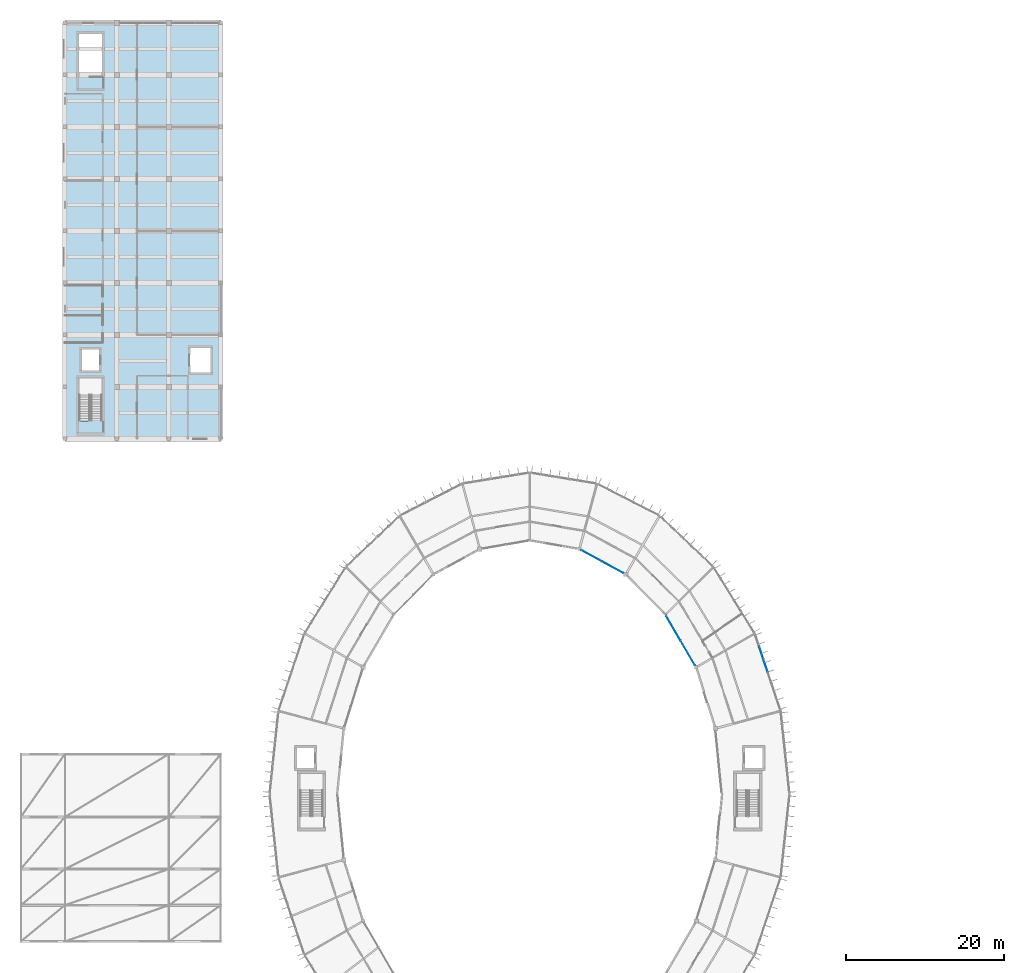
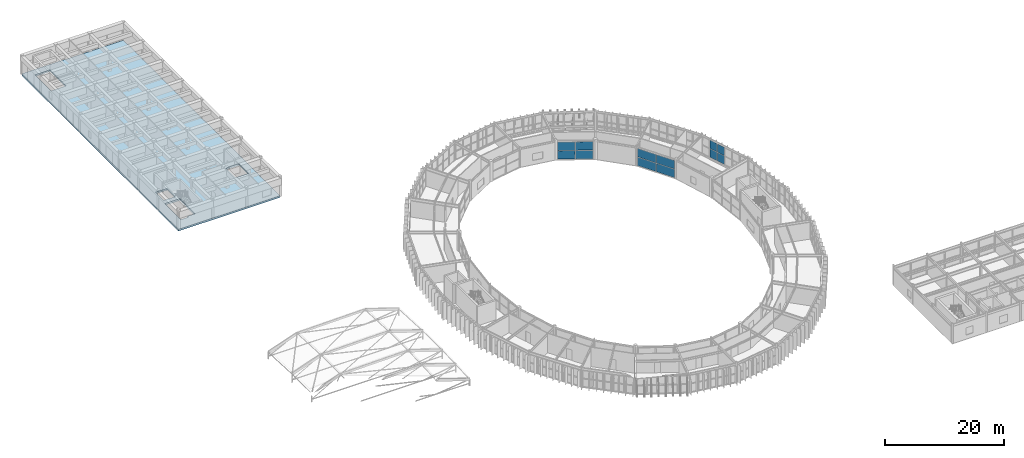
# One storey, part 98 of 134: 12 plates, 1 slab, 3 elements without a shape of their own.
"""IFC4 building model written with IfcOpenShell, lengths in metres."""

from ifc_helpers import new_model, si_unit, direction, frame, origin, origin_2d, place, context, subcontext, project, spatial, polyline, rectangle, outline, extrude, material, layer, layer_set, type_object, element, aggregate, save


model = new_model("IFC4")

# Units and contexts
model_context = context("Model", 3, precision=1e-05, world=origin(), true_north=direction((0.0, 1.0)))
body_context = subcontext(model_context, "Body", "Model", "MODEL_VIEW")
ifc_project = project(units=[si_unit("LENGTHUNIT", "METRE"), si_unit("AREAUNIT", "SQUARE_METRE"), si_unit("VOLUMEUNIT", "CUBIC_METRE"), si_unit("PLANEANGLEUNIT", "RADIAN"), si_unit("MASSUNIT", "GRAM", prefix="KILO")], contexts=[model_context])

# Site, building, storey
site_placement = place(None, origin())
site = spatial("IfcSite", under=ifc_project, at=site_placement, CompositionType="ELEMENT")
building_placement = place(site_placement, origin())
building = spatial("IfcBuilding", under=site, at=building_placement, Name="Karori Crest Natural Sciences Institute", CompositionType="ELEMENT")
storey_placement = place(building_placement, frame((0.0, 0.0, 21.699951171875)))
storey = spatial("IfcBuildingStorey", under=building, at=storey_placement, Name="L05", CompositionType="ELEMENT", Elevation=21.699951171875)

# Curtain wall, plates
ifc_material_1 = material(Name="Anodised architectural aluminium 6063-T6", Category="aluminium")
curtain_wall_type_1 = type_object("IfcCurtainWallType", Name="CWT-13", PredefinedType="NOTDEFINED", material=ifc_material_1)
curtain_wall_1_placement = place(storey_placement, origin())
curtain_wall_1 = element("IfcCurtainWall", 1, at=curtain_wall_1_placement, inside=storey, type_object=curtain_wall_type_1, Name="Curtain wall CW-0176", PredefinedType="NOTDEFINED")
ifc_material_2 = material(Name="Double low-E laminated glass", Category="glass")
ifc_layer_1 = layer(ifc_material_2, 0.02392578125, Name="Double low-E laminated glass")
ifc_layer_set_1 = layer_set([ifc_layer_1], Name="Double low-E laminated glass")
plate_type_1 = type_object("IfcPlateType", Name="CWP-01", PredefinedType="CURTAIN_PANEL", material=ifc_layer_set_1)
plate_1_placement = place(storey_placement, frame((86.48193359375, 67.80419921875, 0.06005859375), z_axis=(0.0, 0.0, 1.0), x_axis=(-0.502654910341, 0.864487154971, 0.0)))
plate_1 = element("IfcPlate", 2, at=plate_1_placement, type_object=plate_type_1, Name="CW-0176 panel 1.1", PredefinedType="CURTAIN_PANEL", context=body_context, shape_type="SweptSolid", body=[
    extrude(rectangle(XDim=3.585205078125, YDim=0.02392578125, at=origin_2d()), origin(), (0.0, 0.0, 1.0), 1.735107421875),
])
plate_2_placement = place(storey_placement, frame((86.48193359375, 67.80419921875, 1.85498046875), z_axis=(0.0, 0.0, 1.0), x_axis=(-0.502654910341, 0.864487154971, 0.0)))
plate_2 = element("IfcPlate", 3, at=plate_2_placement, type_object=plate_type_1, Name="CW-0176 panel 1.2", PredefinedType="CURTAIN_PANEL", context=body_context, shape_type="SweptSolid", body=[
    extrude(rectangle(XDim=3.585205078125, YDim=0.02392578125, at=origin_2d()), origin(), (0.0, 0.0, 1.0), 1.735107421875),
])
plate_3_placement = place(storey_placement, frame((84.647216796875, 70.959716796875, 0.06005859375), z_axis=(0.0, 0.0, 1.0), x_axis=(-0.502654910341, 0.864487154971, 0.0)))
plate_3 = element("IfcPlate", 4, at=plate_3_placement, type_object=plate_type_1, Name="CW-0176 panel 2.1", PredefinedType="CURTAIN_PANEL", context=body_context, shape_type="SweptSolid", body=[
    extrude(rectangle(XDim=3.585205078125, YDim=0.02392578125, at=origin_2d()), origin(), (0.0, 0.0, 1.0), 1.735107421875),
])
plate_4_placement = place(storey_placement, frame((84.647216796875, 70.959716796875, 1.85498046875), z_axis=(0.0, 0.0, 1.0), x_axis=(-0.502654910341, 0.864487154971, 0.0)))
plate_4 = element("IfcPlate", 5, at=plate_4_placement, type_object=plate_type_1, Name="CW-0176 panel 2.2", PredefinedType="CURTAIN_PANEL", context=body_context, shape_type="SweptSolid", body=[
    extrude(rectangle(XDim=3.585205078125, YDim=0.02392578125, at=origin_2d()), origin(), (0.0, 0.0, 1.0), 1.735107421875),
])
aggregate(curtain_wall_1, [plate_1, plate_2, plate_3, plate_4])

curtain_wall_type_2 = type_object("IfcCurtainWallType", Name="CWT-15", PredefinedType="NOTDEFINED", material=ifc_material_1)
curtain_wall_2_placement = place(storey_placement, origin())
curtain_wall_2 = element("IfcCurtainWall", 6, at=curtain_wall_2_placement, inside=storey, type_object=curtain_wall_type_2, Name="Curtain wall CW-0179", PredefinedType="NOTDEFINED")
plate_5_placement = place(storey_placement, frame((76.959228515625, 78.682861328125, 0.06005859375), z_axis=(0.0, 0.0, 1.0), x_axis=(-0.877470277057, 0.479631017431, 0.0)))
plate_5 = element("IfcPlate", 7, at=plate_5_placement, type_object=plate_type_1, Name="CW-0179 panel 1.1", PredefinedType="CURTAIN_PANEL", context=body_context, shape_type="SweptSolid", body=[
    extrude(rectangle(XDim=2.987060546875, YDim=0.02392578125, at=origin_2d()), origin(), (0.0, 0.0, 1.0), 1.735107421875),
])
plate_6_placement = place(storey_placement, frame((76.959228515625, 78.682861328125, 1.85498046875), z_axis=(0.0, 0.0, 1.0), x_axis=(-0.877470277057, 0.479631017431, 0.0)))
plate_6 = element("IfcPlate", 8, at=plate_6_placement, type_object=plate_type_1, Name="CW-0179 panel 1.2", PredefinedType="CURTAIN_PANEL", context=body_context, shape_type="SweptSolid", body=[
    extrude(rectangle(XDim=2.987060546875, YDim=0.02392578125, at=origin_2d()), origin(), (0.0, 0.0, 1.0), 1.735107421875),
])
plate_7_placement = place(storey_placement, frame((74.281005859375, 80.14697265625, 0.06005859375), z_axis=(0.0, 0.0, 1.0), x_axis=(-0.877470277057, 0.479631017431, 0.0)))
plate_7 = element("IfcPlate", 9, at=plate_7_placement, type_object=plate_type_1, Name="CW-0179 panel 2.1", PredefinedType="CURTAIN_PANEL", context=body_context, shape_type="SweptSolid", body=[
    extrude(rectangle(XDim=2.987060546875, YDim=0.02392578125, at=origin_2d()), origin(), (0.0, 0.0, 1.0), 1.735107421875),
])
plate_8_placement = place(storey_placement, frame((74.281005859375, 80.14697265625, 1.85498046875), z_axis=(0.0, 0.0, 1.0), x_axis=(-0.877470277057, 0.479631017431, 0.0)))
plate_8 = element("IfcPlate", 10, at=plate_8_placement, type_object=plate_type_1, Name="CW-0179 panel 2.2", PredefinedType="CURTAIN_PANEL", context=body_context, shape_type="SweptSolid", body=[
    extrude(rectangle(XDim=2.987060546875, YDim=0.02392578125, at=origin_2d()), origin(), (0.0, 0.0, 1.0), 1.735107421875),
])
aggregate(curtain_wall_2, [plate_5, plate_6, plate_7, plate_8])

curtain_wall_type_3 = type_object("IfcCurtainWallType", Name="CWT-02", PredefinedType="NOTDEFINED", material=ifc_material_1)
curtain_wall_3_placement = place(storey_placement, origin())
curtain_wall_3 = element("IfcCurtainWall", 11, at=curtain_wall_3_placement, inside=storey, type_object=curtain_wall_type_3, Name="Curtain wall CW-0174", PredefinedType="NOTDEFINED")
ifc_layer_2 = layer(ifc_material_2, 0.033935546875, Name="Double low-E laminated glass")
ifc_layer_set_2 = layer_set([ifc_layer_2], Name="Double low-E laminated glass")
plate_type_2 = type_object("IfcPlateType", Name="CWP-02", PredefinedType="CURTAIN_PANEL", material=ifc_layer_set_2)
plate_9_placement = place(storey_placement, frame((95.8125, 67.81201171875, 0.06005859375), z_axis=(0.0, 0.0, 1.0), x_axis=(0.317679803392, -0.94819805026, 0.0)))
plate_9 = element("IfcPlate", 12, at=plate_9_placement, type_object=plate_type_2, Name="CW-0174 panel 2.1", PredefinedType="CURTAIN_PANEL", context=body_context, shape_type="SweptSolid", body=[
    extrude(rectangle(XDim=1.628662109375, YDim=0.033935546875, at=origin_2d()), origin(), (0.0, 0.0, 1.0), 1.722412109375),
])
plate_10_placement = place(storey_placement, frame((95.8125, 67.81201171875, 1.8427734375), z_axis=(0.0, 0.0, 1.0), x_axis=(0.317679803392, -0.94819805026, 0.0)))
plate_10 = element("IfcPlate", 13, at=plate_10_placement, type_object=plate_type_2, Name="CW-0174 panel 2.2", PredefinedType="CURTAIN_PANEL", context=body_context, shape_type="SweptSolid", body=[
    extrude(rectangle(XDim=1.628662109375, YDim=0.033935546875, at=origin_2d()), origin(), (0.0, 0.0, 1.0), 1.722412109375),
])
plate_11_placement = place(storey_placement, frame((96.3505859375, 66.205810546875, 0.06005859375), z_axis=(0.0, 0.0, 1.0), x_axis=(0.317679803392, -0.94819805026, 0.0)))
plate_11 = element("IfcPlate", 14, at=plate_11_placement, type_object=plate_type_2, Name="CW-0174 panel 3.1", PredefinedType="CURTAIN_PANEL", context=body_context, shape_type="SweptSolid", body=[
    extrude(rectangle(XDim=1.628662109375, YDim=0.033935546875, at=origin_2d()), origin(), (0.0, 0.0, 1.0), 1.722412109375),
])
plate_12_placement = place(storey_placement, frame((96.3505859375, 66.205810546875, 1.8427734375), z_axis=(0.0, 0.0, 1.0), x_axis=(0.317679803392, -0.94819805026, 0.0)))
plate_12 = element("IfcPlate", 15, at=plate_12_placement, type_object=plate_type_2, Name="CW-0174 panel 3.2", PredefinedType="CURTAIN_PANEL", context=body_context, shape_type="SweptSolid", body=[
    extrude(rectangle(XDim=1.628662109375, YDim=0.033935546875, at=origin_2d()), origin(), (0.0, 0.0, 1.0), 1.722412109375),
])
aggregate(curtain_wall_3, [plate_9, plate_10, plate_11, plate_12])

# Slab
ifc_material_3 = material(Name="Concrete 50 MPa", Category="concrete")
ifc_layer_3 = layer(ifc_material_3, 0.35009765625, Name="Concrete 50 MPa")
ifc_layer_set_3 = layer_set([ifc_layer_3], Name="Concrete 50 MPa")
slab_type = type_object("IfcSlabType", Name="SLT-03", PredefinedType="FLOOR", material=ifc_layer_set_3)
slab_placement = place(storey_placement, frame((0.0, 0.0, -0.349853515625)))
element("IfcSlab", 16, at=slab_placement, inside=storey, type_object=slab_type, Name="V4 Slab SL-0158", PredefinedType="FLOOR", context=body_context, shape_type="SweptSolid", body=[
    extrude(outline(polyline([(7.39990234375, 95.0), (27.199951171875, 95.0), (27.199951171875, 147.800048828125), (7.39990234375, 147.800048828125), (7.39990234375, 95.0)]), holes=[polyline([(12.10009765625, 97.580078125), (10.64990234375, 97.580078125), (10.64990234375, 97.300537109375), (9.199951171875, 97.300537109375), (9.199951171875, 102.699951171875), (12.10009765625, 102.699951171875), (12.10009765625, 97.580078125)]), polyline([(12.10009765625, 141.00048828125), (9.199951171875, 141.00048828125), (9.199951171875, 146.39990234375), (12.10009765625, 146.39990234375), (12.10009765625, 141.00048828125)]), polyline([(9.52490234375, 106.375), (11.77490234375, 106.375), (11.77490234375, 103.625), (9.52490234375, 103.625), (9.52490234375, 106.375)]), polyline([(23.300048828125, 106.60009765625), (25.89990234375, 106.60009765625), (25.89990234375, 103.39990234375), (23.300048828125, 103.39990234375), (23.300048828125, 106.60009765625)])]), origin(), (0.0, 0.0, 1.0), 0.349853515625),
])

save(model, "model.ifc")
